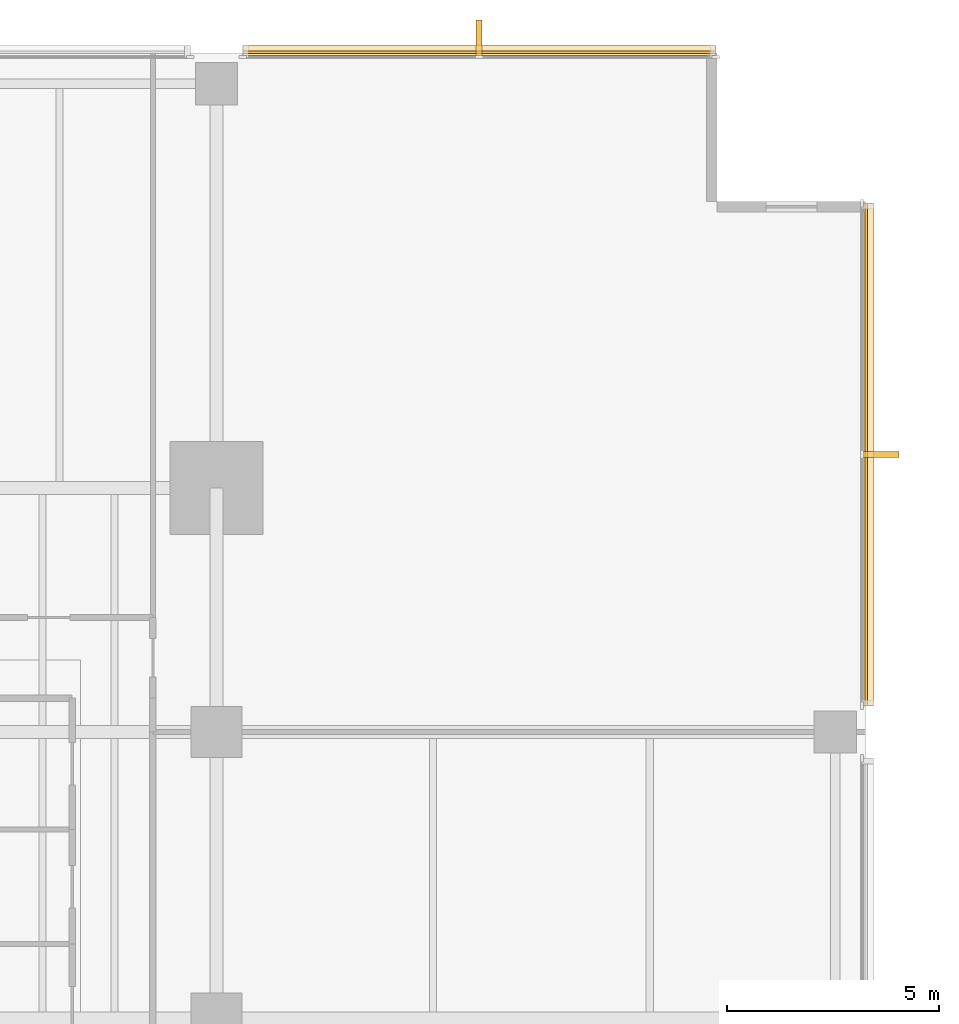
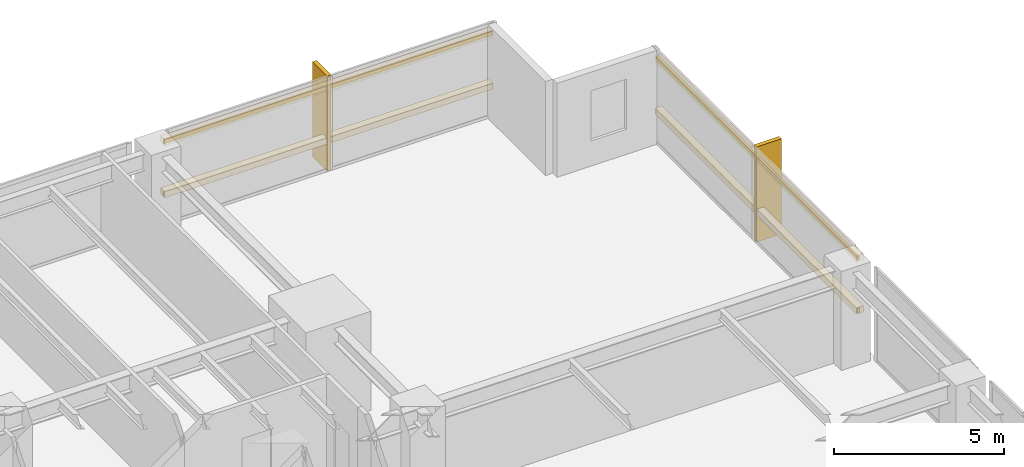
# One storey, part 15 of 15: 6 coverings, 4 shading devices.
"""IFC4 building model written with IfcOpenShell, lengths in metres."""

from ifc_helpers import new_model, si_unit, direction, frame, origin, origin_2d, place, context, subcontext, project, spatial, polyline, rectangle, outline, extrude, material, layer, layer_set, material_profile, profile_set, type_object, element, save


model = new_model("IFC4")

# Units and contexts
model_context = context("Model", 3, precision=1e-05, world=origin(), true_north=direction((0.0, 1.0)))
body_context = subcontext(model_context, "Body", "Model", "MODEL_VIEW")
ifc_project = project(units=[si_unit("LENGTHUNIT", "METRE"), si_unit("AREAUNIT", "SQUARE_METRE"), si_unit("VOLUMEUNIT", "CUBIC_METRE"), si_unit("PLANEANGLEUNIT", "RADIAN"), si_unit("MASSUNIT", "GRAM", prefix="KILO")], contexts=[model_context])

# Site, building, storey
site_placement = place(None, origin())
site = spatial("IfcSite", under=ifc_project, at=site_placement, CompositionType="ELEMENT")
building_placement = place(site_placement, origin())
building = spatial("IfcBuilding", under=site, at=building_placement, Name="Kinhvarn Gate Tower", CompositionType="ELEMENT")
storey_placement = place(building_placement, frame((0.0, 0.0, 68.199951171875)))
storey = spatial("IfcBuildingStorey", under=building, at=storey_placement, Name="L17", CompositionType="ELEMENT", Elevation=68.199951171875)

# Coverings
ifc_material = material(Name="Fired architectural terracotta", Category="masonry")
ifc_layer_1 = layer(ifc_material, 0.239990234375)
ifc_layer_set_1 = layer_set([ifc_layer_1], Name="Fired architectural terracotta")
covering_type_1 = type_object("IfcCoveringType", Name="COV-BAG-220", PredefinedType="CLADDING", material=ifc_layer_set_1)
covering_1_placement = place(storey_placement, frame((0.0, 0.0, 0.93994140625)))
element("IfcCovering", 1, at=covering_1_placement, inside=storey, type_object=covering_type_1, Name="Terracotta Horizontal Sunscreen Band TBG-220 (L17)", PredefinedType="CLADDING", context=body_context, shape_type="SweptSolid", body=[
    extrude(outline(polyline([(49.9599609375, 47.93994140625), (38.820068359375, 47.93994140625), (38.820068359375, 48.179931640625), (49.9599609375, 48.179931640625), (49.9599609375, 47.93994140625)])), origin(), (0.0, 0.0, 1.0), 0.22021484375),
])
covering_2_placement = place(storey_placement, frame((0.0, 0.0, 2.81005859375)))
element("IfcCovering", 2, at=covering_2_placement, inside=storey, type_object=covering_type_1, Name="Terracotta Horizontal Sunscreen Band TBG-220 (L17)", PredefinedType="CLADDING", context=body_context, shape_type="SweptSolid", body=[
    extrude(outline(polyline([(49.9599609375, 47.93994140625), (38.820068359375, 47.93994140625), (38.820068359375, 48.179931640625), (49.9599609375, 48.179931640625), (49.9599609375, 47.93994140625)])), origin(), (0.0, 0.0, 1.0), 0.219970703125),
])
covering_3_placement = place(storey_placement, frame((0.0, 0.0, 0.93994140625)))
element("IfcCovering", 3, at=covering_3_placement, inside=storey, type_object=covering_type_1, Name="Terracotta Horizontal Sunscreen Band TBG-220 (L17)", PredefinedType="CLADDING", context=body_context, shape_type="SweptSolid", body=[
    extrude(outline(polyline([(53.43994140625, 32.6201171875), (53.43994140625, 44.4599609375), (53.679931640625, 44.4599609375), (53.679931640625, 32.6201171875), (53.43994140625, 32.6201171875)])), origin(), (0.0, 0.0, 1.0), 0.22021484375),
])
covering_4_placement = place(storey_placement, frame((0.0, 0.0, 2.81005859375)))
element("IfcCovering", 4, at=covering_4_placement, inside=storey, type_object=covering_type_1, Name="Terracotta Horizontal Sunscreen Band TBG-220 (L17)", PredefinedType="CLADDING", context=body_context, shape_type="SweptSolid", body=[
    extrude(outline(polyline([(53.43994140625, 32.6201171875), (53.43994140625, 44.4599609375), (53.679931640625, 44.4599609375), (53.679931640625, 32.6201171875), (53.43994140625, 32.6201171875)])), origin(), (0.0, 0.0, 1.0), 0.219970703125),
])
ifc_layer_2 = layer(ifc_material, 0.139892578125)
ifc_layer_set_2 = layer_set([ifc_layer_2], Name="Fired architectural terracotta")
covering_type_2 = type_object("IfcCoveringType", Name="COV-FIN-850", PredefinedType="CLADDING", material=ifc_layer_set_2)
covering_5_placement = place(storey_placement, frame((0.0, 0.0, -0.02001953125)))
element("IfcCovering", 5, at=covering_5_placement, inside=storey, type_object=covering_type_2, Name="Vertical Terracotta Expressive Fin TFN-850 (L17)", PredefinedType="CLADDING", context=body_context, shape_type="SweptSolid", body=[
    extrude(outline(polyline([(44.4599609375, 47.929931640625), (44.320068359375, 47.929931640625), (44.320068359375, 48.780029296875), (44.4599609375, 48.780029296875), (44.4599609375, 47.929931640625)])), origin(), (0.0, 0.0, 1.0), 3.41015625),
])
covering_6_placement = place(storey_placement, frame((0.0, 0.0, -0.02001953125)))
element("IfcCovering", 6, at=covering_6_placement, inside=storey, type_object=covering_type_2, Name="Vertical Terracotta Expressive Fin TFN-850 (L17)", PredefinedType="CLADDING", context=body_context, shape_type="SweptSolid", body=[
    extrude(outline(polyline([(53.429931640625, 38.469970703125), (53.429931640625, 38.610107421875), (54.280029296875, 38.610107421875), (54.280029296875, 38.469970703125), (53.429931640625, 38.469970703125)])), origin(), (0.0, 0.0, 1.0), 3.41015625),
])

# Shading devices
ifc_material_profile = material_profile(ifc_material, rectangle(XDim=0.06005859375, YDim=0.139892578125, at=origin_2d()), Name="TC 60x140")
ifc_profile_set = profile_set([ifc_material_profile], Name="Fired architectural terracotta")
shading_device_type = type_object("IfcShadingDeviceType", Name="SHD-BAG-180", PredefinedType="USERDEFINED", material=ifc_profile_set)
for number, where, z_axis, x_axis, name in (
    (7, (49.9599609375, 48.014892578125, 1.050048828125), (-1.0, 0.0, 0.0), (0.0, -1.0, 0.0), "Fired Terracotta Baguette Screen Rod 60x140 mm (L17)"),
    (8, (49.9599609375, 48.014892578125, 2.920166015625), (-1.0, 0.0, 0.0), (0.0, -1.0, 0.0), "Fired Terracotta Baguette Screen Rod 60x140 mm (L17)"),
):
    element("IfcShadingDevice", number, at=place(storey_placement, frame(where, z_axis=z_axis, x_axis=x_axis)), inside=storey, type_object=shading_device_type, Name=name, ObjectType="BAGUETTE", PredefinedType="USERDEFINED", context=body_context, shape_type="SweptSolid", body=[
        extrude(rectangle(XDim=0.06005859375, YDim=0.139892578125, at=origin_2d()), origin(), (0.0, 0.0, 1.0), 11.139892578125),
    ])
for number, where, z_axis, x_axis, name in (
    (9, (53.514892578125, 32.6201171875, 1.050048828125), (0.0, 1.0, 0.0), (-1.0, 0.0, 0.0), "Fired Terracotta Baguette Screen Rod 60x140 mm (L17)"),
    (10, (53.514892578125, 32.6201171875, 2.920166015625), (0.0, 1.0, 0.0), (-1.0, 0.0, 0.0), "Fired Terracotta Baguette Screen Rod 60x140 mm (L17)"),
):
    element("IfcShadingDevice", number, at=place(storey_placement, frame(where, z_axis=z_axis, x_axis=x_axis)), inside=storey, type_object=shading_device_type, Name=name, ObjectType="BAGUETTE", PredefinedType="USERDEFINED", context=body_context, shape_type="SweptSolid", body=[
        extrude(rectangle(XDim=0.06005859375, YDim=0.139892578125, at=origin_2d()), origin(), (0.0, 0.0, 1.0), 11.83984375),
    ])

save(model, "model.ifc")
